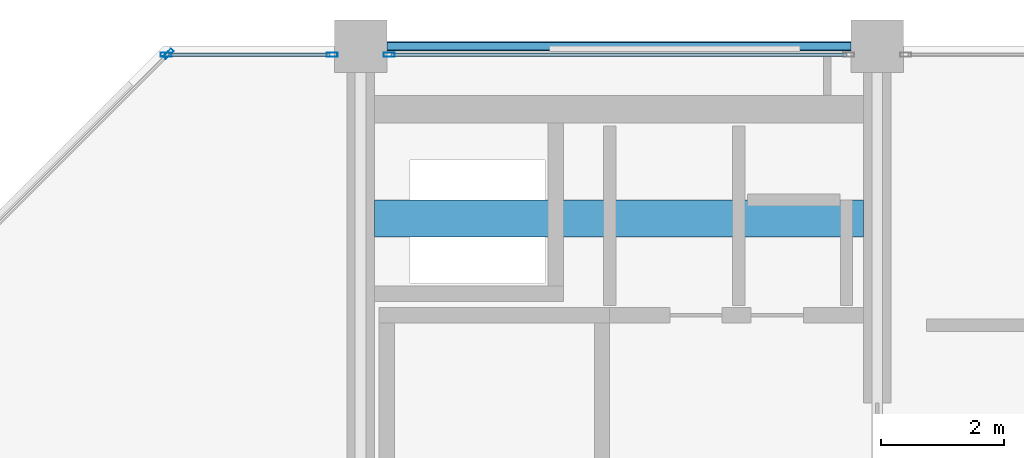
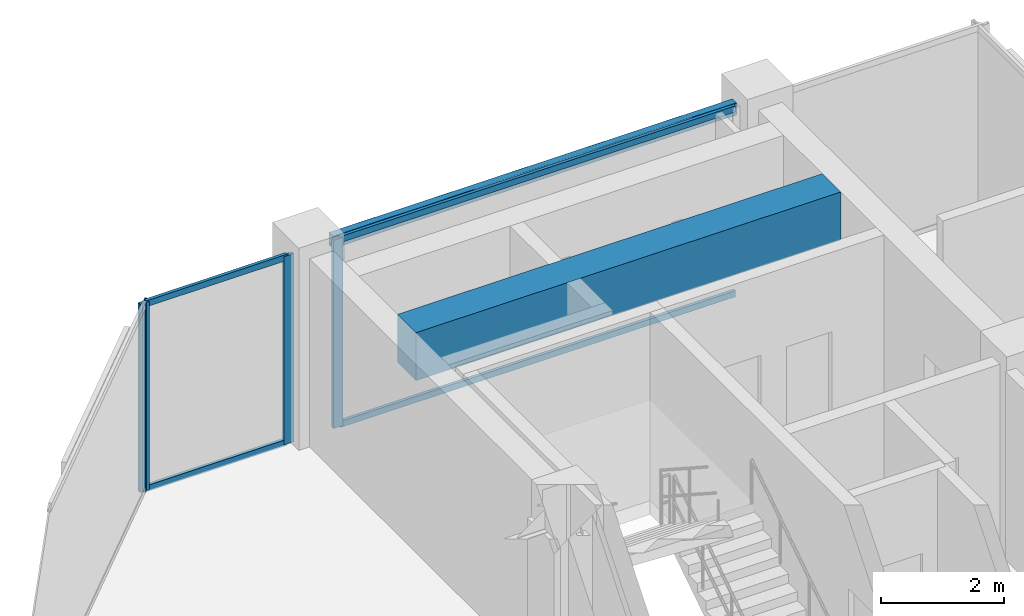
# One storey, part 18 of 26: 8 members, 2 beams, 3 elements without a shape of their own.
"""IFC4 building model written with IfcOpenShell, lengths in metres."""

from ifc_helpers import new_model, si_unit, direction, frame, origin, origin_2d, place, context, subcontext, project, spatial, rectangle, hollow_rectangle, extrude, material, layer, layer_set, material_profile, profile_set, type_object, element, aggregate, save


model = new_model("IFC4")

# Units and contexts
model_context = context("Model", 3, precision=1e-05, world=origin(), true_north=direction((0.0, 1.0)))
body_context = subcontext(model_context, "Body", "Model", "MODEL_VIEW")
ifc_project = project(units=[si_unit("LENGTHUNIT", "METRE"), si_unit("AREAUNIT", "SQUARE_METRE"), si_unit("VOLUMEUNIT", "CUBIC_METRE"), si_unit("PLANEANGLEUNIT", "RADIAN"), si_unit("MASSUNIT", "GRAM", prefix="KILO")], contexts=[model_context])

# Site, building, storey
site_placement = place(None, origin())
site = spatial("IfcSite", under=ifc_project, at=site_placement, CompositionType="ELEMENT")
building_placement = place(site_placement, origin())
building = spatial("IfcBuilding", under=site, at=building_placement, Name="Nerrivon Quay Data Exchange", CompositionType="ELEMENT")
storey_placement = place(building_placement, frame((0.0, 0.0, 274.199951171875)))
storey = spatial("IfcBuildingStorey", under=building, at=storey_placement, Name="L65", CompositionType="ELEMENT", Elevation=274.199951171875)

# Beams
ifc_material_1 = material(Name="Concrete N50 (50 MPa)", Category="concrete")
ifc_material_profile_1 = material_profile(ifc_material_1, rectangle(XDim=0.60009765625, YDim=0.949951171875, at=origin_2d()), Name="RC-CB-600x950")
ifc_profile_set_1 = profile_set([ifc_material_profile_1], Name="Concrete N50 (50 MPa)")
beam_type_1 = type_object("IfcBeamType", Name="BM-CB2-600x950", PredefinedType="LINTEL", material=ifc_profile_set_1)
beam_1_placement = place(storey_placement, frame((8.625, 39.199951171875, 3.25), z_axis=(1.0, 0.0, 0.0), x_axis=(0.0, 1.0, 0.0)))
element("IfcBeam", 1, at=beam_1_placement, inside=storey, type_object=beam_type_1, Name="L65 West Core Coupling Beam", PredefinedType="LINTEL", context=body_context, shape_type="SweptSolid", body=[
    extrude(rectangle(XDim=0.60009765625, YDim=0.949951171875, at=origin_2d()), origin(), (0.0, 0.0, 1.0), 7.949951171875),
])
ifc_material_2 = material(Name="Steel Grade C350L0 (350 MPa)", Category="steel")
ifc_material_profile_2 = material_profile(ifc_material_2, hollow_rectangle(XDim=0.14990234375, YDim=0.25, WallThickness=0.009033203125, InnerFilletRadius=0.013427734375, OuterFilletRadius=0.0224609375, at=origin_2d()), Name="250x150x9.0RHS")
ifc_profile_set_2 = profile_set([ifc_material_profile_2], Name="Steel Grade C350L0 (350 MPa)")
beam_type_2 = type_object("IfcBeamType", Name="BM-SP4-250x150RHS", PredefinedType="SPANDREL", material=ifc_profile_set_2)
beam_2_placement = place(storey_placement, frame((8.824951171875, 42.0, 3.60009765625), z_axis=(1.0, 0.0, 0.0), x_axis=(0.0, 1.0, 0.0)))
element("IfcBeam", 2, at=beam_2_placement, inside=storey, type_object=beam_type_2, Name="L65 EW Girder Y=42.0 (8.4..16.8)", PredefinedType="SPANDREL", context=body_context, shape_type="SweptSolid", body=[
    extrude(hollow_rectangle(XDim=0.14990234375, YDim=0.25, WallThickness=0.009033203125, InnerFilletRadius=0.013427734375, OuterFilletRadius=0.0224609375, at=origin_2d()), origin(), (0.0, 0.0, 1.0), 7.550048828125),
])

# Curtain wall, member
ifc_material_3 = material(Name="Anodised aluminium 6063-T6", Category="aluminium")
ifc_layer = layer(ifc_material_3, 0.195068359375)
ifc_layer_set = layer_set([ifc_layer], Name="Anodised aluminium 6063-T6")
curtain_wall_type = type_object("IfcCurtainWallType", Name="CW-SYS-06", PredefinedType="NOTDEFINED", material=ifc_layer_set)
curtain_wall_1_placement = place(storey_placement, origin())
curtain_wall_1 = element("IfcCurtainWall", 3, at=curtain_wall_1_placement, inside=storey, type_object=curtain_wall_type, Name="L65 Unitised Curtain Wall 16", PredefinedType="NOTDEFINED")
ifc_material_profile_3 = material_profile(ifc_material_3, hollow_rectangle(XDim=0.06494140625, YDim=0.179931640625, WallThickness=0.00341796875, at=origin_2d()), Name="ALU-MULL-180x65")
ifc_profile_set_3 = profile_set([ifc_material_profile_3], Name="Anodised aluminium 6063-T6")
member_type_1 = type_object("IfcMemberType", Name="CWM-180x65", PredefinedType="MULLION", material=ifc_profile_set_3)
member_1_placement = place(storey_placement, frame((5.2724609375, 41.87451171875, 0.0), z_axis=(0.0, 0.0, 1.0), x_axis=(-0.707106781187, 0.707106781187, 0.0)))
member_1 = element("IfcMember", 4, at=member_1_placement, type_object=member_type_1, Name="CW06 mullion 2", PredefinedType="MULLION", context=body_context, shape_type="SweptSolid", body=[
    extrude(hollow_rectangle(XDim=0.06494140625, YDim=0.179931640625, WallThickness=0.00341796875, at=origin_2d()), origin(), (0.0, 0.0, 1.0), 3.72509765625),
])
aggregate(curtain_wall_1, [member_1])

# Curtain wall, members
curtain_wall_2_placement = place(storey_placement, origin())
curtain_wall_2 = element("IfcCurtainWall", 5, at=curtain_wall_2_placement, inside=storey, type_object=curtain_wall_type, Name="L65 Unitised Curtain Wall 17", PredefinedType="NOTDEFINED")
member_2_placement = place(storey_placement, frame((5.237548828125, 41.860107421875, 0.0), z_axis=(0.0, 0.0, 1.0), x_axis=(0.0, 1.0, 0.0)))
member_2 = element("IfcMember", 6, at=member_2_placement, type_object=member_type_1, Name="CW06 mullion 1", PredefinedType="MULLION", context=body_context, shape_type="SweptSolid", body=[
    extrude(hollow_rectangle(XDim=0.06494140625, YDim=0.179931640625, WallThickness=0.00341796875, at=origin_2d()), origin(), (0.0, 0.0, 1.0), 3.72509765625),
])
member_3_placement = place(storey_placement, frame((7.9375, 41.860107421875, 0.0), z_axis=(0.0, 0.0, 1.0), x_axis=(0.0, 1.0, 0.0)))
member_3 = element("IfcMember", 7, at=member_3_placement, type_object=member_type_1, Name="CW06 mullion 2", PredefinedType="MULLION", context=body_context, shape_type="SweptSolid", body=[
    extrude(hollow_rectangle(XDim=0.06494140625, YDim=0.179931640625, WallThickness=0.00341796875, at=origin_2d()), origin(), (0.0, 0.0, 1.0), 3.72509765625),
])

# Curtain wall, member
curtain_wall_3_placement = place(storey_placement, origin())
curtain_wall_3 = element("IfcCurtainWall", 8, at=curtain_wall_3_placement, inside=storey, type_object=curtain_wall_type, Name="L65 Unitised Curtain Wall 18", PredefinedType="NOTDEFINED")
member_4_placement = place(storey_placement, frame((8.862548828125, 41.860107421875, 0.0), z_axis=(0.0, 0.0, 1.0), x_axis=(0.0, 1.0, 0.0)))
member_4 = element("IfcMember", 9, at=member_4_placement, type_object=member_type_1, Name="CW06 mullion 1", PredefinedType="MULLION", context=body_context, shape_type="SweptSolid", body=[
    extrude(hollow_rectangle(XDim=0.06494140625, YDim=0.179931640625, WallThickness=0.00341796875, at=origin_2d()), origin(), (0.0, 0.0, 1.0), 3.72509765625),
])

# Member
ifc_material_profile_4 = material_profile(ifc_material_3, hollow_rectangle(XDim=0.06005859375, YDim=0.1201171875, WallThickness=0.003173828125, at=origin_2d()), Name="ALU-TRAN-120x60")
ifc_profile_set_4 = profile_set([ifc_material_profile_4], Name="Anodised aluminium 6063-T6")
member_type_2 = type_object("IfcMemberType", Name="CWT-120x60", PredefinedType="USERDEFINED", material=ifc_profile_set_4)
member_5_placement = place(storey_placement, frame((5.27490234375, 41.860107421875, 0.032470703125), z_axis=(1.0, 0.0, 0.0), x_axis=(0.0, 1.0, 0.0)))
member_5 = element("IfcMember", 10, at=member_5_placement, type_object=member_type_2, Name="CW06 transom 1.1", ObjectType="TRANSOM", PredefinedType="USERDEFINED", context=body_context, shape_type="SweptSolid", body=[
    extrude(hollow_rectangle(XDim=0.06005859375, YDim=0.1201171875, WallThickness=0.003173828125, at=origin_2d()), origin(), (0.0, 0.0, 1.0), 2.625),
])

member_6_placement = place(storey_placement, frame((5.27490234375, 41.860107421875, 3.692626953125), z_axis=(1.0, 0.0, 0.0), x_axis=(0.0, 1.0, 0.0)))
member_6 = element("IfcMember", 11, at=member_6_placement, type_object=member_type_2, Name="CW06 transom 1.2", ObjectType="TRANSOM", PredefinedType="USERDEFINED", context=body_context, shape_type="SweptSolid", body=[
    extrude(hollow_rectangle(XDim=0.06005859375, YDim=0.1201171875, WallThickness=0.003173828125, at=origin_2d()), origin(), (0.0, 0.0, 1.0), 2.625),
])

aggregate(curtain_wall_2, [member_2, member_3, member_5, member_6])

member_7_placement = place(storey_placement, frame((8.89990234375, 41.860107421875, 0.032470703125), z_axis=(1.0, 0.0, 0.0), x_axis=(0.0, 1.0, 0.0)))
member_7 = element("IfcMember", 12, at=member_7_placement, type_object=member_type_2, Name="CW06 transom 1.1", ObjectType="TRANSOM", PredefinedType="USERDEFINED", context=body_context, shape_type="SweptSolid", body=[
    extrude(hollow_rectangle(XDim=0.06005859375, YDim=0.1201171875, WallThickness=0.003173828125, at=origin_2d()), origin(), (0.0, 0.0, 1.0), 7.400146484375),
])

member_8_placement = place(storey_placement, frame((8.89990234375, 41.860107421875, 3.692626953125), z_axis=(1.0, 0.0, 0.0), x_axis=(0.0, 1.0, 0.0)))
member_8 = element("IfcMember", 13, at=member_8_placement, type_object=member_type_2, Name="CW06 transom 1.2", ObjectType="TRANSOM", PredefinedType="USERDEFINED", context=body_context, shape_type="SweptSolid", body=[
    extrude(hollow_rectangle(XDim=0.06005859375, YDim=0.1201171875, WallThickness=0.003173828125, at=origin_2d()), origin(), (0.0, 0.0, 1.0), 7.400146484375),
])

aggregate(curtain_wall_3, [member_4, member_7, member_8])

save(model, "model.ifc")
